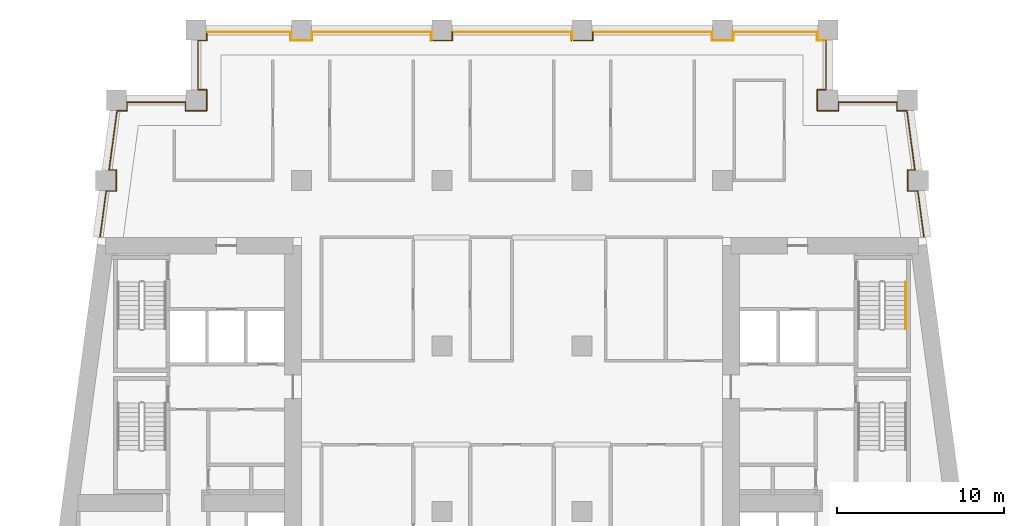
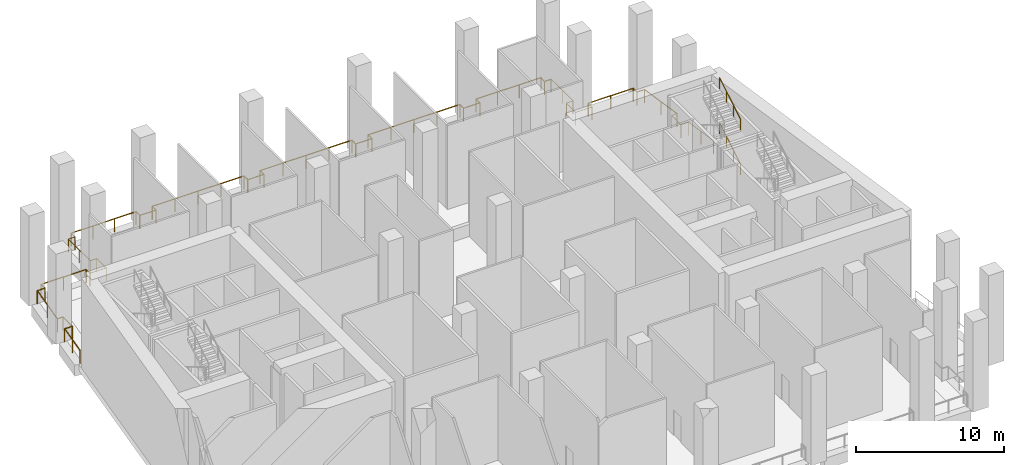
# One storey, part 10 of 10: 15 railings.
"""IFC4 building model written with IfcOpenShell, lengths in metres."""

from ifc_helpers import new_model, si_unit, direction, frame, origin, origin_2d, place, context, subcontext, project, spatial, circle, extrude, material, type_object, element, save


model = new_model("IFC4")

# Units and contexts
model_context = context("Model", 3, precision=1e-05, world=origin(), true_north=direction((0.0, 1.0)))
body_context = subcontext(model_context, "Body", "Model", "MODEL_VIEW")
ifc_project = project(units=[si_unit("LENGTHUNIT", "METRE"), si_unit("AREAUNIT", "SQUARE_METRE"), si_unit("VOLUMEUNIT", "CUBIC_METRE"), si_unit("PLANEANGLEUNIT", "RADIAN"), si_unit("MASSUNIT", "GRAM", prefix="KILO")], contexts=[model_context])

# Site, building, storey
site_placement = place(None, origin())
site = spatial("IfcSite", under=ifc_project, at=site_placement, CompositionType="ELEMENT")
building_placement = place(site_placement, origin())
building = spatial("IfcBuilding", under=site, at=building_placement, Name="Candeia Pilgrim Tower and Theatre", CompositionType="ELEMENT")
storey_placement = place(building_placement, frame((0.0, 0.0, 135.39990234375)))
storey = spatial("IfcBuildingStorey", under=building, at=storey_placement, Name="L32", CompositionType="ELEMENT", Elevation=135.39990234375)

# Railings
ifc_material_1 = material(Name="Stainless steel balustrade", Category="steel")
railing_type_1 = type_object("IfcRailingType", Name="G1 loggia guard 1100", PredefinedType="GUARDRAIL", material=ifc_material_1)
railing_1_placement = place(storey_placement, frame((88.758544921875, 132.449951171875, 0.0)))
element("IfcRailing", 1, at=railing_1_placement, inside=storey, type_object=railing_type_1, Name="Guard L32.4", PredefinedType="GUARDRAIL", context=body_context, shape_type="SweptSolid", body=[
    extrude(circle(Radius=0.02392578125, at=origin_2d()), frame((0.0, 0.0, 1.076171875), z_axis=(0.133433855259, 0.991057720958, 0.0), x_axis=(-0.991057720958, 0.133433855259, 0.0)), (0.0, 0.0, 1.0), 2.74462890625),
    extrude(circle(Radius=0.02392578125, at=origin_2d()), frame((0.3662109375, 2.719970703125, 1.076171875), z_axis=(1.0, 0.0, 0.0), x_axis=(0.0, 1.0, 0.0)), (0.0, 0.0, 1.0), 0.59375),
    extrude(circle(Radius=0.02392578125, at=origin_2d()), frame((0.9599609375, 2.719970703125, 1.076171875), z_axis=(0.0, 1.0, 0.0), x_axis=(-1.0, 0.0, 0.0)), (0.0, 0.0, 1.0), 1.260009765625),
    extrude(circle(Radius=0.02392578125, at=origin_2d()), frame((0.9599609375, 3.97998046875, 1.076171875), z_axis=(-1.0, 0.0, 0.0), x_axis=(0.0, -1.0, 0.0)), (0.0, 0.0, 1.0), 0.424072265625),
    extrude(circle(Radius=0.02099609375, at=origin_2d()), origin(), (0.0, 0.0, 1.0), 1.052001953125),
    extrude(circle(Radius=0.02099609375, at=origin_2d()), frame((0.18310546875, 1.35986328125, 0.0)), (0.0, 0.0, 1.0), 1.052001953125),
    extrude(circle(Radius=0.02099609375, at=origin_2d()), frame((0.3662109375, 2.719970703125, 0.0)), (0.0, 0.0, 1.0), 1.052001953125),
    extrude(circle(Radius=0.02099609375, at=origin_2d()), frame((0.9599609375, 2.719970703125, 0.0)), (0.0, 0.0, 1.0), 1.052001953125),
    extrude(circle(Radius=0.02099609375, at=origin_2d()), frame((0.9599609375, 3.97998046875, 0.0)), (0.0, 0.0, 1.0), 1.052001953125),
    extrude(circle(Radius=0.02099609375, at=origin_2d()), frame((0.535888671875, 3.97998046875, 0.0)), (0.0, 0.0, 1.0), 1.052001953125),
])
railing_2_placement = place(storey_placement, frame((89.29443359375, 136.429931640625, 0.0)))
element("IfcRailing", 2, at=railing_2_placement, inside=storey, type_object=railing_type_1, Name="Guard L32.5", PredefinedType="GUARDRAIL", context=body_context, shape_type="SweptSolid", body=[
    extrude(circle(Radius=0.02392578125, at=origin_2d()), frame((0.0, 0.0, 1.076171875), z_axis=(0.133417176173, 0.991059966451, 0.0), x_axis=(-0.991059966451, 0.133417176173, 0.0)), (0.0, 0.0, 1.0), 3.572021484375),
    extrude(circle(Radius=0.02392578125, at=origin_2d()), frame((0.4765625, 3.5400390625, 1.076171875), z_axis=(1.0, 0.0, 0.0), x_axis=(0.0, 1.0, 0.0)), (0.0, 0.0, 1.0), 0.593505859375),
    extrude(circle(Radius=0.02392578125, at=origin_2d()), frame((1.070068359375, 3.5400390625, 1.076171875), z_axis=(0.0, 1.0, 0.0), x_axis=(-1.0, 0.0, 0.0)), (0.0, 0.0, 1.0), 0.510009765625),
    extrude(circle(Radius=0.02392578125, at=origin_2d()), frame((1.070068359375, 4.050048828125, 1.076171875), z_axis=(1.0, 0.0, 0.0), x_axis=(0.0, 1.0, 0.0)), (0.0, 0.0, 1.0), 3.505615234375),
    extrude(circle(Radius=0.02099609375, at=origin_2d()), origin(), (0.0, 0.0, 1.0), 1.052001953125),
    extrude(circle(Radius=0.02099609375, at=origin_2d()), frame((0.23828125, 1.77001953125, 0.0)), (0.0, 0.0, 1.0), 1.052001953125),
    extrude(circle(Radius=0.02099609375, at=origin_2d()), frame((0.4765625, 3.5400390625, 0.0)), (0.0, 0.0, 1.0), 1.052001953125),
    extrude(circle(Radius=0.02099609375, at=origin_2d()), frame((1.070068359375, 3.5400390625, 0.0)), (0.0, 0.0, 1.0), 1.052001953125),
    extrude(circle(Radius=0.02099609375, at=origin_2d()), frame((1.070068359375, 4.050048828125, 0.0)), (0.0, 0.0, 1.0), 1.052001953125),
    extrude(circle(Radius=0.02099609375, at=origin_2d()), frame((2.82275390625, 4.050048828125, 0.0)), (0.0, 0.0, 1.0), 1.052001953125),
    extrude(circle(Radius=0.02099609375, at=origin_2d()), frame((4.57568359375, 4.050048828125, 0.0)), (0.0, 0.0, 1.0), 1.052001953125),
])
railing_3_placement = place(storey_placement, frame((93.8701171875, 140.47998046875, 0.0)))
element("IfcRailing", 3, at=railing_3_placement, inside=storey, type_object=railing_type_1, Name="Guard L32.6", PredefinedType="GUARDRAIL", context=body_context, shape_type="SweptSolid", body=[
    extrude(circle(Radius=0.02392578125, at=origin_2d()), frame((0.0, 0.0, 1.076171875), z_axis=(0.0, -1.0, 0.0), x_axis=(1.0, 0.0, 0.0)), (0.0, 0.0, 1.0), 0.510009765625),
    extrude(circle(Radius=0.02392578125, at=origin_2d()), frame((0.0, -0.510009765625, 1.076171875), z_axis=(1.0, 0.0, 0.0), x_axis=(0.0, 1.0, 0.0)), (0.0, 0.0, 1.0), 1.259765625),
    extrude(circle(Radius=0.02392578125, at=origin_2d()), frame((1.259765625, -0.510009765625, 1.076171875), z_axis=(0.0, 1.0, 0.0), x_axis=(-1.0, 0.0, 0.0)), (0.0, 0.0, 1.0), 1.260009765625),
    extrude(circle(Radius=0.02392578125, at=origin_2d()), frame((1.259765625, 0.75, 1.076171875), z_axis=(-1.0, 0.0, 0.0), x_axis=(0.0, -1.0, 0.0)), (0.0, 0.0, 1.0), 0.509765625),
    extrude(circle(Radius=0.02392578125, at=origin_2d()), frame((0.75, 0.75, 1.076171875), z_axis=(0.0, 1.0, 0.0), x_axis=(-1.0, 0.0, 0.0)), (0.0, 0.0, 1.0), 2.93994140625),
    extrude(circle(Radius=0.02392578125, at=origin_2d()), frame((0.75, 3.68994140625, 1.076171875), z_axis=(1.0, 0.0, 0.0), x_axis=(0.0, 1.0, 0.0)), (0.0, 0.0, 1.0), 0.509765625),
    extrude(circle(Radius=0.02392578125, at=origin_2d()), frame((1.259765625, 3.68994140625, 1.076171875), z_axis=(0.0, 1.0, 0.0), x_axis=(-1.0, 0.0, 0.0)), (0.0, 0.0, 1.0), 0.510009765625),
    extrude(circle(Radius=0.02099609375, at=origin_2d()), origin(), (0.0, 0.0, 1.0), 1.052001953125),
    extrude(circle(Radius=0.02099609375, at=origin_2d()), frame((0.0, -0.510009765625, 0.0)), (0.0, 0.0, 1.0), 1.052001953125),
    extrude(circle(Radius=0.02099609375, at=origin_2d()), frame((1.259765625, -0.510009765625, 0.0)), (0.0, 0.0, 1.0), 1.052001953125),
    extrude(circle(Radius=0.02099609375, at=origin_2d()), frame((1.259765625, 0.75, 0.0)), (0.0, 0.0, 1.0), 1.052001953125),
    extrude(circle(Radius=0.02099609375, at=origin_2d()), frame((0.75, 0.75, 0.0)), (0.0, 0.0, 1.0), 1.052001953125),
    extrude(circle(Radius=0.02099609375, at=origin_2d()), frame((0.75, 2.219970703125, 0.0)), (0.0, 0.0, 1.0), 1.052001953125),
    extrude(circle(Radius=0.02099609375, at=origin_2d()), frame((0.75, 3.68994140625, 0.0)), (0.0, 0.0, 1.0), 1.052001953125),
    extrude(circle(Radius=0.02099609375, at=origin_2d()), frame((1.259765625, 3.68994140625, 0.0)), (0.0, 0.0, 1.0), 1.052001953125),
    extrude(circle(Radius=0.02099609375, at=origin_2d()), frame((1.259765625, 4.199951171875, 0.0)), (0.0, 0.0, 1.0), 1.052001953125),
])
railing_4_placement = place(storey_placement, frame((95.1298828125, 144.679931640625, 0.0)))
element("IfcRailing", 4, at=railing_4_placement, inside=storey, type_object=railing_type_1, Name="Guard L32.7", PredefinedType="GUARDRAIL", context=body_context, shape_type="SweptSolid", body=[
    extrude(circle(Radius=0.02392578125, at=origin_2d()), frame((0.0, 0.0, 1.076171875), z_axis=(1.0, 0.0, 0.0), x_axis=(0.0, 1.0, 0.0)), (0.0, 0.0, 1.0), 5.0400390625),
    extrude(circle(Radius=0.02392578125, at=origin_2d()), frame((5.0400390625, 0.0, 1.076171875), z_axis=(0.0, -1.0, 0.0), x_axis=(1.0, 0.0, 0.0)), (0.0, 0.0, 1.0), 0.510009765625),
    extrude(circle(Radius=0.02392578125, at=origin_2d()), frame((5.0400390625, -0.510009765625, 1.076171875), z_axis=(1.0, 0.0, 0.0), x_axis=(0.0, 1.0, 0.0)), (0.0, 0.0, 1.0), 1.260009765625),
    extrude(circle(Radius=0.02392578125, at=origin_2d()), frame((6.300048828125, -0.510009765625, 1.076171875), z_axis=(0.0, 1.0, 0.0), x_axis=(-1.0, 0.0, 0.0)), (0.0, 0.0, 1.0), 0.510009765625),
    extrude(circle(Radius=0.02099609375, at=origin_2d()), origin(), (0.0, 0.0, 1.0), 1.052001953125),
    extrude(circle(Radius=0.02099609375, at=origin_2d()), frame((1.679931640625, 0.0, 0.0)), (0.0, 0.0, 1.0), 1.052001953125),
    extrude(circle(Radius=0.02099609375, at=origin_2d()), frame((3.360107421875, 0.0, 0.0)), (0.0, 0.0, 1.0), 1.052001953125),
    extrude(circle(Radius=0.02099609375, at=origin_2d()), frame((5.0400390625, 0.0, 0.0)), (0.0, 0.0, 1.0), 1.052001953125),
    extrude(circle(Radius=0.02099609375, at=origin_2d()), frame((5.0400390625, -0.510009765625, 0.0)), (0.0, 0.0, 1.0), 1.052001953125),
    extrude(circle(Radius=0.02099609375, at=origin_2d()), frame((6.300048828125, -0.510009765625, 0.0)), (0.0, 0.0, 1.0), 1.052001953125),
    extrude(circle(Radius=0.02099609375, at=origin_2d()), frame((6.300048828125, 0.0, 0.0)), (0.0, 0.0, 1.0), 1.052001953125),
])
railing_5_placement = place(storey_placement, frame((101.429931640625, 144.679931640625, 0.0)))
element("IfcRailing", 5, at=railing_5_placement, inside=storey, type_object=railing_type_1, Name="Guard L32.8", PredefinedType="GUARDRAIL", context=body_context, shape_type="SweptSolid", body=[
    extrude(circle(Radius=0.02392578125, at=origin_2d()), frame((0.0, 0.0, 1.076171875), z_axis=(1.0, 0.0, 0.0), x_axis=(0.0, 1.0, 0.0)), (0.0, 0.0, 1.0), 7.14013671875),
    extrude(circle(Radius=0.02392578125, at=origin_2d()), frame((7.14013671875, 0.0, 1.076171875), z_axis=(0.0, -1.0, 0.0), x_axis=(1.0, 0.0, 0.0)), (0.0, 0.0, 1.0), 0.510009765625),
    extrude(circle(Radius=0.02099609375, at=origin_2d()), origin(), (0.0, 0.0, 1.0), 1.052001953125),
    extrude(circle(Radius=0.02099609375, at=origin_2d()), frame((1.78515625, 0.0, 0.0)), (0.0, 0.0, 1.0), 1.052001953125),
    extrude(circle(Radius=0.02099609375, at=origin_2d()), frame((3.570068359375, 0.0, 0.0)), (0.0, 0.0, 1.0), 1.052001953125),
    extrude(circle(Radius=0.02099609375, at=origin_2d()), frame((5.35498046875, 0.0, 0.0)), (0.0, 0.0, 1.0), 1.052001953125),
    extrude(circle(Radius=0.02099609375, at=origin_2d()), frame((7.14013671875, 0.0, 0.0)), (0.0, 0.0, 1.0), 1.052001953125),
    extrude(circle(Radius=0.02099609375, at=origin_2d()), frame((7.14013671875, -0.510009765625, 0.0)), (0.0, 0.0, 1.0), 1.052001953125),
])
railing_6_placement = place(storey_placement, frame((108.570068359375, 144.169921875, 0.0)))
element("IfcRailing", 6, at=railing_6_placement, inside=storey, type_object=railing_type_1, Name="Guard L32.9", PredefinedType="GUARDRAIL", context=body_context, shape_type="SweptSolid", body=[
    extrude(circle(Radius=0.02392578125, at=origin_2d()), frame((0.0, 0.0, 1.076171875), z_axis=(1.0, 0.0, 0.0), x_axis=(0.0, 1.0, 0.0)), (0.0, 0.0, 1.0), 1.260009765625),
    extrude(circle(Radius=0.02392578125, at=origin_2d()), frame((1.260009765625, 0.0, 1.076171875), z_axis=(0.0, 1.0, 0.0), x_axis=(-1.0, 0.0, 0.0)), (0.0, 0.0, 1.0), 0.510009765625),
    extrude(circle(Radius=0.02099609375, at=origin_2d()), origin(), (0.0, 0.0, 1.0), 1.052001953125),
    extrude(circle(Radius=0.02099609375, at=origin_2d()), frame((1.260009765625, 0.0, 0.0)), (0.0, 0.0, 1.0), 1.052001953125),
    extrude(circle(Radius=0.02099609375, at=origin_2d()), frame((1.260009765625, 0.510009765625, 0.0)), (0.0, 0.0, 1.0), 1.052001953125),
])
railing_7_placement = place(storey_placement, frame((109.830078125, 144.679931640625, 0.0)))
element("IfcRailing", 7, at=railing_7_placement, inside=storey, type_object=railing_type_1, Name="Guard L32.10", PredefinedType="GUARDRAIL", context=body_context, shape_type="SweptSolid", body=[
    extrude(circle(Radius=0.02392578125, at=origin_2d()), frame((0.0, 0.0, 1.076171875), z_axis=(1.0, 0.0, 0.0), x_axis=(0.0, 1.0, 0.0)), (0.0, 0.0, 1.0), 7.139892578125),
    extrude(circle(Radius=0.02392578125, at=origin_2d()), frame((7.139892578125, 0.0, 1.076171875), z_axis=(0.0, -1.0, 0.0), x_axis=(1.0, 0.0, 0.0)), (0.0, 0.0, 1.0), 0.510009765625),
    extrude(circle(Radius=0.02099609375, at=origin_2d()), origin(), (0.0, 0.0, 1.0), 1.052001953125),
    extrude(circle(Radius=0.02099609375, at=origin_2d()), frame((1.784912109375, 0.0, 0.0)), (0.0, 0.0, 1.0), 1.052001953125),
    extrude(circle(Radius=0.02099609375, at=origin_2d()), frame((3.56982421875, 0.0, 0.0)), (0.0, 0.0, 1.0), 1.052001953125),
    extrude(circle(Radius=0.02099609375, at=origin_2d()), frame((5.35498046875, 0.0, 0.0)), (0.0, 0.0, 1.0), 1.052001953125),
    extrude(circle(Radius=0.02099609375, at=origin_2d()), frame((7.139892578125, 0.0, 0.0)), (0.0, 0.0, 1.0), 1.052001953125),
    extrude(circle(Radius=0.02099609375, at=origin_2d()), frame((7.139892578125, -0.510009765625, 0.0)), (0.0, 0.0, 1.0), 1.052001953125),
])
railing_8_placement = place(storey_placement, frame((116.969970703125, 144.169921875, 0.0)))
element("IfcRailing", 8, at=railing_8_placement, inside=storey, type_object=railing_type_1, Name="Guard L32.11", PredefinedType="GUARDRAIL", context=body_context, shape_type="SweptSolid", body=[
    extrude(circle(Radius=0.02392578125, at=origin_2d()), frame((0.0, 0.0, 1.076171875), z_axis=(1.0, 0.0, 0.0), x_axis=(0.0, 1.0, 0.0)), (0.0, 0.0, 1.0), 1.260009765625),
    extrude(circle(Radius=0.02392578125, at=origin_2d()), frame((1.260009765625, 0.0, 1.076171875), z_axis=(0.0, 1.0, 0.0), x_axis=(-1.0, 0.0, 0.0)), (0.0, 0.0, 1.0), 0.510009765625),
    extrude(circle(Radius=0.02099609375, at=origin_2d()), origin(), (0.0, 0.0, 1.0), 1.052001953125),
    extrude(circle(Radius=0.02099609375, at=origin_2d()), frame((1.260009765625, 0.0, 0.0)), (0.0, 0.0, 1.0), 1.052001953125),
    extrude(circle(Radius=0.02099609375, at=origin_2d()), frame((1.260009765625, 0.510009765625, 0.0)), (0.0, 0.0, 1.0), 1.052001953125),
])
railing_9_placement = place(storey_placement, frame((118.22998046875, 144.679931640625, 0.0)))
element("IfcRailing", 9, at=railing_9_placement, inside=storey, type_object=railing_type_1, Name="Guard L32.12", PredefinedType="GUARDRAIL", context=body_context, shape_type="SweptSolid", body=[
    extrude(circle(Radius=0.02392578125, at=origin_2d()), frame((0.0, 0.0, 1.076171875), z_axis=(1.0, 0.0, 0.0), x_axis=(0.0, 1.0, 0.0)), (0.0, 0.0, 1.0), 7.14013671875),
    extrude(circle(Radius=0.02392578125, at=origin_2d()), frame((7.14013671875, 0.0, 1.076171875), z_axis=(0.0, -1.0, 0.0), x_axis=(1.0, 0.0, 0.0)), (0.0, 0.0, 1.0), 0.510009765625),
    extrude(circle(Radius=0.02099609375, at=origin_2d()), origin(), (0.0, 0.0, 1.0), 1.052001953125),
    extrude(circle(Radius=0.02099609375, at=origin_2d()), frame((1.78515625, 0.0, 0.0)), (0.0, 0.0, 1.0), 1.052001953125),
    extrude(circle(Radius=0.02099609375, at=origin_2d()), frame((3.570068359375, 0.0, 0.0)), (0.0, 0.0, 1.0), 1.052001953125),
    extrude(circle(Radius=0.02099609375, at=origin_2d()), frame((5.35498046875, 0.0, 0.0)), (0.0, 0.0, 1.0), 1.052001953125),
    extrude(circle(Radius=0.02099609375, at=origin_2d()), frame((7.14013671875, 0.0, 0.0)), (0.0, 0.0, 1.0), 1.052001953125),
    extrude(circle(Radius=0.02099609375, at=origin_2d()), frame((7.14013671875, -0.510009765625, 0.0)), (0.0, 0.0, 1.0), 1.052001953125),
])
railing_10_placement = place(storey_placement, frame((125.3701171875, 144.169921875, 0.0)))
element("IfcRailing", 10, at=railing_10_placement, inside=storey, type_object=railing_type_1, Name="Guard L32.13", PredefinedType="GUARDRAIL", context=body_context, shape_type="SweptSolid", body=[
    extrude(circle(Radius=0.02392578125, at=origin_2d()), frame((0.0, 0.0, 1.076171875), z_axis=(1.0, 0.0, 0.0), x_axis=(0.0, 1.0, 0.0)), (0.0, 0.0, 1.0), 1.259765625),
    extrude(circle(Radius=0.02392578125, at=origin_2d()), frame((1.259765625, 0.0, 1.076171875), z_axis=(0.0, 1.0, 0.0), x_axis=(-1.0, 0.0, 0.0)), (0.0, 0.0, 1.0), 0.510009765625),
    extrude(circle(Radius=0.02392578125, at=origin_2d()), frame((1.259765625, 0.510009765625, 1.076171875), z_axis=(1.0, 0.0, 0.0), x_axis=(0.0, 1.0, 0.0)), (0.0, 0.0, 1.0), 5.0400390625),
    extrude(circle(Radius=0.02392578125, at=origin_2d()), frame((6.2998046875, 0.510009765625, 1.076171875), z_axis=(0.0, -1.0, 0.0), x_axis=(1.0, 0.0, 0.0)), (0.0, 0.0, 1.0), 0.510009765625),
    extrude(circle(Radius=0.02392578125, at=origin_2d()), frame((6.2998046875, 0.0, 1.076171875), z_axis=(1.0, 0.0, 0.0), x_axis=(0.0, 1.0, 0.0)), (0.0, 0.0, 1.0), 0.510009765625),
    extrude(circle(Radius=0.02099609375, at=origin_2d()), origin(), (0.0, 0.0, 1.0), 1.052001953125),
    extrude(circle(Radius=0.02099609375, at=origin_2d()), frame((1.259765625, 0.0, 0.0)), (0.0, 0.0, 1.0), 1.052001953125),
    extrude(circle(Radius=0.02099609375, at=origin_2d()), frame((1.259765625, 0.510009765625, 0.0)), (0.0, 0.0, 1.0), 1.052001953125),
    extrude(circle(Radius=0.02099609375, at=origin_2d()), frame((2.939697265625, 0.510009765625, 0.0)), (0.0, 0.0, 1.0), 1.052001953125),
    extrude(circle(Radius=0.02099609375, at=origin_2d()), frame((4.619873046875, 0.510009765625, 0.0)), (0.0, 0.0, 1.0), 1.052001953125),
    extrude(circle(Radius=0.02099609375, at=origin_2d()), frame((6.2998046875, 0.510009765625, 0.0)), (0.0, 0.0, 1.0), 1.052001953125),
    extrude(circle(Radius=0.02099609375, at=origin_2d()), frame((6.2998046875, 0.0, 0.0)), (0.0, 0.0, 1.0), 1.052001953125),
    extrude(circle(Radius=0.02099609375, at=origin_2d()), frame((6.809814453125, 0.0, 0.0)), (0.0, 0.0, 1.0), 1.052001953125),
])
railing_11_placement = place(storey_placement, frame((132.179931640625, 144.169921875, 0.0)))
element("IfcRailing", 11, at=railing_11_placement, inside=storey, type_object=railing_type_1, Name="Guard L32.14", PredefinedType="GUARDRAIL", context=body_context, shape_type="SweptSolid", body=[
    extrude(circle(Radius=0.02392578125, at=origin_2d()), frame((0.0, 0.0, 1.076171875), z_axis=(0.0, -1.0, 0.0), x_axis=(1.0, 0.0, 0.0)), (0.0, 0.0, 1.0), 2.93994140625),
    extrude(circle(Radius=0.02392578125, at=origin_2d()), frame((0.0, -2.93994140625, 1.076171875), z_axis=(-1.0, 0.0, 0.0), x_axis=(0.0, -1.0, 0.0)), (0.0, 0.0, 1.0), 0.510009765625),
    extrude(circle(Radius=0.02392578125, at=origin_2d()), frame((-0.510009765625, -2.93994140625, 1.076171875), z_axis=(0.0, -1.0, 0.0), x_axis=(1.0, 0.0, 0.0)), (0.0, 0.0, 1.0), 1.260009765625),
    extrude(circle(Radius=0.02392578125, at=origin_2d()), frame((-0.510009765625, -4.199951171875, 1.076171875), z_axis=(1.0, 0.0, 0.0), x_axis=(0.0, 1.0, 0.0)), (0.0, 0.0, 1.0), 1.260009765625),
    extrude(circle(Radius=0.02392578125, at=origin_2d()), frame((0.75, -4.199951171875, 1.076171875), z_axis=(0.0, 1.0, 0.0), x_axis=(-1.0, 0.0, 0.0)), (0.0, 0.0, 1.0), 0.510009765625),
    extrude(circle(Radius=0.02099609375, at=origin_2d()), origin(), (0.0, 0.0, 1.0), 1.052001953125),
    extrude(circle(Radius=0.02099609375, at=origin_2d()), frame((0.0, -1.469970703125, 0.0)), (0.0, 0.0, 1.0), 1.052001953125),
    extrude(circle(Radius=0.02099609375, at=origin_2d()), frame((0.0, -2.93994140625, 0.0)), (0.0, 0.0, 1.0), 1.052001953125),
    extrude(circle(Radius=0.02099609375, at=origin_2d()), frame((-0.510009765625, -2.93994140625, 0.0)), (0.0, 0.0, 1.0), 1.052001953125),
    extrude(circle(Radius=0.02099609375, at=origin_2d()), frame((-0.510009765625, -4.199951171875, 0.0)), (0.0, 0.0, 1.0), 1.052001953125),
    extrude(circle(Radius=0.02099609375, at=origin_2d()), frame((0.75, -4.199951171875, 0.0)), (0.0, 0.0, 1.0), 1.052001953125),
    extrude(circle(Radius=0.02099609375, at=origin_2d()), frame((0.75, -3.68994140625, 0.0)), (0.0, 0.0, 1.0), 1.052001953125),
])
railing_12_placement = place(storey_placement, frame((132.929931640625, 140.47998046875, 0.0)))
element("IfcRailing", 12, at=railing_12_placement, inside=storey, type_object=railing_type_1, Name="Guard L32.15", PredefinedType="GUARDRAIL", context=body_context, shape_type="SweptSolid", body=[
    extrude(circle(Radius=0.02392578125, at=origin_2d()), frame((0.0, 0.0, 1.076171875), z_axis=(1.0, 0.0, 0.0), x_axis=(0.0, 1.0, 0.0)), (0.0, 0.0, 1.0), 3.50537109375),
    extrude(circle(Radius=0.02392578125, at=origin_2d()), frame((3.50537109375, 0.0, 1.076171875), z_axis=(0.0, -1.0, 0.0), x_axis=(1.0, 0.0, 0.0)), (0.0, 0.0, 1.0), 0.510009765625),
    extrude(circle(Radius=0.02392578125, at=origin_2d()), frame((3.50537109375, -0.510009765625, 1.076171875), z_axis=(1.0, 0.0, 0.0), x_axis=(0.0, 1.0, 0.0)), (0.0, 0.0, 1.0), 0.59375),
    extrude(circle(Radius=0.02392578125, at=origin_2d()), frame((4.09912109375, -0.510009765625, 1.076171875), z_axis=(0.133417176173, -0.991059966451, 0.0), x_axis=(0.991059966451, 0.133417176173, 0.0)), (0.0, 0.0, 1.0), 3.572021484375),
    extrude(circle(Radius=0.02099609375, at=origin_2d()), origin(), (0.0, 0.0, 1.0), 1.052001953125),
    extrude(circle(Radius=0.02099609375, at=origin_2d()), frame((1.752685546875, 0.0, 0.0)), (0.0, 0.0, 1.0), 1.052001953125),
    extrude(circle(Radius=0.02099609375, at=origin_2d()), frame((3.50537109375, 0.0, 0.0)), (0.0, 0.0, 1.0), 1.052001953125),
    extrude(circle(Radius=0.02099609375, at=origin_2d()), frame((3.50537109375, -0.510009765625, 0.0)), (0.0, 0.0, 1.0), 1.052001953125),
    extrude(circle(Radius=0.02099609375, at=origin_2d()), frame((4.09912109375, -0.510009765625, 0.0)), (0.0, 0.0, 1.0), 1.052001953125),
    extrude(circle(Radius=0.02099609375, at=origin_2d()), frame((4.33740234375, -2.280029296875, 0.0)), (0.0, 0.0, 1.0), 1.052001953125),
    extrude(circle(Radius=0.02099609375, at=origin_2d()), frame((4.57568359375, -4.050048828125, 0.0)), (0.0, 0.0, 1.0), 1.052001953125),
])
railing_13_placement = place(storey_placement, frame((137.505615234375, 136.429931640625, 0.0)))
element("IfcRailing", 13, at=railing_13_placement, inside=storey, type_object=railing_type_1, Name="Guard L32.16", PredefinedType="GUARDRAIL", context=body_context, shape_type="SweptSolid", body=[
    extrude(circle(Radius=0.02392578125, at=origin_2d()), frame((0.0, 0.0, 1.076171875), z_axis=(-1.0, 0.0, 0.0), x_axis=(0.0, -1.0, 0.0)), (0.0, 0.0, 1.0), 0.424072265625),
    extrude(circle(Radius=0.02392578125, at=origin_2d()), frame((-0.424072265625, 0.0, 1.076171875), z_axis=(0.0, -1.0, 0.0), x_axis=(1.0, 0.0, 0.0)), (0.0, 0.0, 1.0), 1.260009765625),
    extrude(circle(Radius=0.02392578125, at=origin_2d()), frame((-0.424072265625, -1.260009765625, 1.076171875), z_axis=(1.0, 0.0, 0.0), x_axis=(0.0, 1.0, 0.0)), (0.0, 0.0, 1.0), 0.59375),
    extrude(circle(Radius=0.02392578125, at=origin_2d()), frame((0.169677734375, -1.260009765625, 1.076171875), z_axis=(0.133433855259, -0.991057720958, 0.0), x_axis=(0.991057720958, 0.133433855259, 0.0)), (0.0, 0.0, 1.0), 2.74462890625),
    extrude(circle(Radius=0.02099609375, at=origin_2d()), origin(), (0.0, 0.0, 1.0), 1.052001953125),
    extrude(circle(Radius=0.02099609375, at=origin_2d()), frame((-0.424072265625, 0.0, 0.0)), (0.0, 0.0, 1.0), 1.052001953125),
    extrude(circle(Radius=0.02099609375, at=origin_2d()), frame((-0.424072265625, -1.260009765625, 0.0)), (0.0, 0.0, 1.0), 1.052001953125),
    extrude(circle(Radius=0.02099609375, at=origin_2d()), frame((0.169677734375, -1.260009765625, 0.0)), (0.0, 0.0, 1.0), 1.052001953125),
    extrude(circle(Radius=0.02099609375, at=origin_2d()), frame((0.352783203125, -2.6201171875, 0.0)), (0.0, 0.0, 1.0), 1.052001953125),
    extrude(circle(Radius=0.02099609375, at=origin_2d()), frame((0.535888671875, -3.97998046875, 0.0)), (0.0, 0.0, 1.0), 1.052001953125),
])
ifc_material_2 = material(Name="Stainless steel handrail", Category="steel")
railing_type_2 = type_object("IfcRailingType", Name="RL-HANDRAIL-900", PredefinedType="HANDRAIL", material=ifc_material_2)
for number, where, name in (
    (14, (136.947998046875, 126.925048828125, 2.018310546875), "L32 ST4 stair handrail 2"),
    (15, (136.947998046875, 126.925048828125, 5.71826171875), "L32 ST4 stair handrail 4"),
):
    element("IfcRailing", number, at=place(storey_placement, frame(where)), inside=storey, type_object=railing_type_2, Name=name, PredefinedType="HANDRAIL", context=body_context, shape_type="SweptSolid", body=[
        extrude(circle(Radius=0.02392578125, at=origin_2d()), frame((0.0, 0.0, 0.8759765625), z_axis=(0.0, 0.857242210791, 0.514913383045), x_axis=(-1.0, 0.0, 0.0)), (0.0, 0.0, 1.0), 3.266357421875),
        extrude(circle(Radius=0.02099609375, at=origin_2d()), origin(), (0.0, 0.0, 1.0), 0.851806640625),
        extrude(circle(Radius=0.02099609375, at=origin_2d()), frame((0.0, 0.933349609375, 0.560546875)), (0.0, 0.0, 1.0), 0.851806640625),
        extrude(circle(Radius=0.02099609375, at=origin_2d()), frame((0.0, 1.86669921875, 1.121337890625)), (0.0, 0.0, 1.0), 0.851806640625),
        extrude(circle(Radius=0.02099609375, at=origin_2d()), frame((0.0, 2.800048828125, 1.681884765625)), (0.0, 0.0, 1.0), 0.851806640625),
    ])

save(model, "model.ifc")
